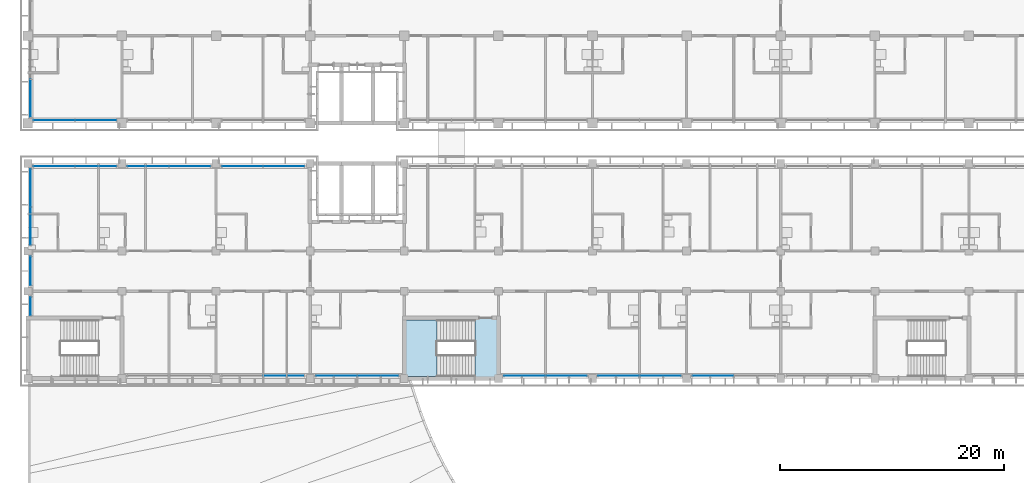
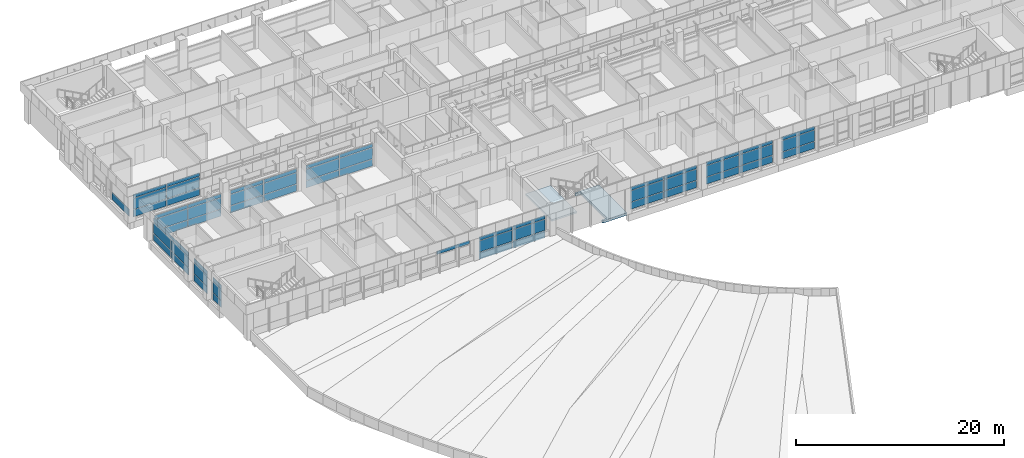
# One storey, part 21 of 74: 59 plates, 2 slabs, 14 elements without a shape of their own.
"""IFC4 building model written with IfcOpenShell, lengths in metres."""

from ifc_helpers import new_model, si_unit, direction, frame, origin, origin_2d, place, context, subcontext, project, spatial, polyline, rectangle, outline, extrude, material, layer, layer_set, type_object, element, aggregate, save


model = new_model("IFC4")

# Units and contexts
model_context = context("Model", 3, precision=1e-05, world=origin(), true_north=direction((0.0, 1.0)))
body_context = subcontext(model_context, "Body", "Model", "MODEL_VIEW")
ifc_project = project(units=[si_unit("LENGTHUNIT", "METRE"), si_unit("AREAUNIT", "SQUARE_METRE"), si_unit("VOLUMEUNIT", "CUBIC_METRE"), si_unit("PLANEANGLEUNIT", "RADIAN"), si_unit("MASSUNIT", "GRAM", prefix="KILO")], contexts=[model_context])

# Site, building, storey
site_placement = place(None, origin())
site = spatial("IfcSite", under=ifc_project, at=site_placement, CompositionType="ELEMENT")
building_placement = place(site_placement, origin())
building = spatial("IfcBuilding", under=site, at=building_placement, Name="Bougainvillea Quay General Hospital", CompositionType="ELEMENT")
storey_placement = place(building_placement, frame((0.0, 0.0, 21.0)))
storey = spatial("IfcBuildingStorey", under=building, at=storey_placement, Name="L04", CompositionType="ELEMENT", Elevation=21.0)

# Curtain wall, plate
ifc_material_1 = material(Name="Aluminium curtain wall system, powder-coated glazed", Category="aluminium")
curtain_wall_type_1 = type_object("IfcCurtainWallType", Name="Unitised curtain wall CW-3430", PredefinedType="NOTDEFINED", material=ifc_material_1)
curtain_wall_1_placement = place(storey_placement, origin())
curtain_wall_1 = element("IfcCurtainWall", 1, at=curtain_wall_1_placement, inside=storey, type_object=curtain_wall_type_1, Name="CW-4200 02", PredefinedType="NOTDEFINED")
ifc_material_2 = material(Name="Insulated aluminium spandrel panel, white", Category="aluminium")
ifc_layer_1 = layer(ifc_material_2, 0.028076171875)
ifc_layer_set_1 = layer_set([ifc_layer_1], Name="Insulated aluminium spandrel panel, white")
plate_type_1 = type_object("IfcPlateType", Name="Insulated spandrel panel white 28", PredefinedType="CURTAIN_PANEL", material=ifc_layer_set_1)
plate_1_placement = place(storey_placement, frame((42.25, 142.60009765625, 0.06005859375), z_axis=(0.0, 0.0, 1.0), x_axis=(0.0, -1.0, 0.0)))
plate_1 = element("IfcPlate", 2, at=plate_1_placement, type_object=plate_type_1, Name="CW-4200 spandrel panel 2.1", PredefinedType="CURTAIN_PANEL", context=body_context, shape_type="SweptSolid", body=[
    extrude(rectangle(XDim=3.340087890625, YDim=0.028076171875, at=origin_2d()), origin(), (0.0, 0.0, 1.0), 0.81005859375),
])
aggregate(curtain_wall_1, [plate_1])

# Curtain wall, plates
curtain_wall_type_2 = type_object("IfcCurtainWallType", Name="Unitised curtain wall CW-3730", PredefinedType="NOTDEFINED", material=ifc_material_1)
curtain_wall_2_placement = place(storey_placement, origin())
curtain_wall_2 = element("IfcCurtainWall", 3, at=curtain_wall_2_placement, inside=storey, type_object=curtain_wall_type_2, Name="CW-4200 00", PredefinedType="NOTDEFINED")
plate_2_placement = place(storey_placement, frame((44.35009765625, 140.64990234375, 0.06005859375), z_axis=(0.0, 0.0, 1.0), x_axis=(1.0, 0.0, 0.0)))
plate_2 = element("IfcPlate", 4, at=plate_2_placement, type_object=plate_type_1, Name="CW-4200 spandrel panel 1.1", PredefinedType="CURTAIN_PANEL", context=body_context, shape_type="SweptSolid", body=[
    extrude(rectangle(XDim=3.639892578125, YDim=0.028076171875, at=origin_2d()), origin(), (0.0, 0.0, 1.0), 0.81005859375),
])
plate_3_placement = place(storey_placement, frame((44.35009765625, 140.64990234375, 2.2802734375), z_axis=(0.0, 0.0, 1.0), x_axis=(1.0, 0.0, 0.0)))
plate_3 = element("IfcPlate", 5, at=plate_3_placement, type_object=plate_type_1, Name="CW-4200 spandrel panel 1.3", PredefinedType="CURTAIN_PANEL", context=body_context, shape_type="SweptSolid", body=[
    extrude(rectangle(XDim=3.639892578125, YDim=0.028076171875, at=origin_2d()), origin(), (0.0, 0.0, 1.0), 0.409912109375),
])
plate_4_placement = place(storey_placement, frame((48.050048828125, 140.64990234375, 0.06005859375), z_axis=(0.0, 0.0, 1.0), x_axis=(1.0, 0.0, 0.0)))
plate_4 = element("IfcPlate", 6, at=plate_4_placement, type_object=plate_type_1, Name="CW-4200 spandrel panel 2.1", PredefinedType="CURTAIN_PANEL", context=body_context, shape_type="SweptSolid", body=[
    extrude(rectangle(XDim=3.639892578125, YDim=0.028076171875, at=origin_2d()), origin(), (0.0, 0.0, 1.0), 0.81005859375),
])
plate_5_placement = place(storey_placement, frame((48.050048828125, 140.64990234375, 2.2802734375), z_axis=(0.0, 0.0, 1.0), x_axis=(1.0, 0.0, 0.0)))
plate_5 = element("IfcPlate", 7, at=plate_5_placement, type_object=plate_type_1, Name="CW-4200 spandrel panel 2.3", PredefinedType="CURTAIN_PANEL", context=body_context, shape_type="SweptSolid", body=[
    extrude(rectangle(XDim=3.639892578125, YDim=0.028076171875, at=origin_2d()), origin(), (0.0, 0.0, 1.0), 0.409912109375),
])

curtain_wall_3_placement = place(storey_placement, origin())
curtain_wall_3 = element("IfcCurtainWall", 8, at=curtain_wall_3_placement, inside=storey, type_object=curtain_wall_type_1, Name="CW-4200 00", PredefinedType="NOTDEFINED")
plate_6_placement = place(storey_placement, frame((42.25, 134.60009765625, 0.06005859375), z_axis=(0.0, 0.0, 1.0), x_axis=(0.0, -1.0, 0.0)))
plate_6 = element("IfcPlate", 9, at=plate_6_placement, type_object=plate_type_1, Name="CW-4200 spandrel panel 1.1", PredefinedType="CURTAIN_PANEL", context=body_context, shape_type="SweptSolid", body=[
    extrude(rectangle(XDim=3.340087890625, YDim=0.028076171875, at=origin_2d()), origin(), (0.0, 0.0, 1.0), 0.81005859375),
])
plate_7_placement = place(storey_placement, frame((42.25, 134.60009765625, 2.2802734375), z_axis=(0.0, 0.0, 1.0), x_axis=(0.0, -1.0, 0.0)))
plate_7 = element("IfcPlate", 10, at=plate_7_placement, type_object=plate_type_1, Name="CW-4200 spandrel panel 1.3", PredefinedType="CURTAIN_PANEL", context=body_context, shape_type="SweptSolid", body=[
    extrude(rectangle(XDim=3.340087890625, YDim=0.028076171875, at=origin_2d()), origin(), (0.0, 0.0, 1.0), 0.409912109375),
])
plate_8_placement = place(storey_placement, frame((42.25, 131.199951171875, 0.06005859375), z_axis=(0.0, 0.0, 1.0), x_axis=(0.0, -1.0, 0.0)))
plate_8 = element("IfcPlate", 11, at=plate_8_placement, type_object=plate_type_1, Name="CW-4200 spandrel panel 2.1", PredefinedType="CURTAIN_PANEL", context=body_context, shape_type="SweptSolid", body=[
    extrude(rectangle(XDim=3.340087890625, YDim=0.028076171875, at=origin_2d()), origin(), (0.0, 0.0, 1.0), 0.81005859375),
])
plate_9_placement = place(storey_placement, frame((42.25, 131.199951171875, 2.2802734375), z_axis=(0.0, 0.0, 1.0), x_axis=(0.0, -1.0, 0.0)))
plate_9 = element("IfcPlate", 12, at=plate_9_placement, type_object=plate_type_1, Name="CW-4200 spandrel panel 2.3", PredefinedType="CURTAIN_PANEL", context=body_context, shape_type="SweptSolid", body=[
    extrude(rectangle(XDim=3.340087890625, YDim=0.028076171875, at=origin_2d()), origin(), (0.0, 0.0, 1.0), 0.409912109375),
])

curtain_wall_type_3 = type_object("IfcCurtainWallType", Name="Unitised curtain wall CW-2660", PredefinedType="NOTDEFINED", material=ifc_material_1)
curtain_wall_4_placement = place(storey_placement, origin())
curtain_wall_4 = element("IfcCurtainWall", 13, at=curtain_wall_4_placement, inside=storey, type_object=curtain_wall_type_3, Name="CW-4200 01", PredefinedType="NOTDEFINED")
plate_10_placement = place(storey_placement, frame((42.25, 127.199951171875, 0.06005859375), z_axis=(0.0, 0.0, 1.0), x_axis=(0.0, -1.0, 0.0)))
plate_10 = element("IfcPlate", 14, at=plate_10_placement, type_object=plate_type_1, Name="CW-4200 spandrel panel 1.1", PredefinedType="CURTAIN_PANEL", context=body_context, shape_type="SweptSolid", body=[
    extrude(rectangle(XDim=2.5400390625, YDim=0.028076171875, at=origin_2d()), origin(), (0.0, 0.0, 1.0), 0.81005859375),
])
plate_11_placement = place(storey_placement, frame((42.25, 127.199951171875, 2.2802734375), z_axis=(0.0, 0.0, 1.0), x_axis=(0.0, -1.0, 0.0)))
plate_11 = element("IfcPlate", 15, at=plate_11_placement, type_object=plate_type_1, Name="CW-4200 spandrel panel 1.3", PredefinedType="CURTAIN_PANEL", context=body_context, shape_type="SweptSolid", body=[
    extrude(rectangle(XDim=2.5400390625, YDim=0.028076171875, at=origin_2d()), origin(), (0.0, 0.0, 1.0), 0.409912109375),
])

curtain_wall_type_4 = type_object("IfcCurtainWallType", Name="Unitised curtain wall CW-1755", PredefinedType="NOTDEFINED", material=ifc_material_1)
curtain_wall_5_placement = place(storey_placement, origin())
curtain_wall_5 = element("IfcCurtainWall", 16, at=curtain_wall_5_placement, inside=storey, type_object=curtain_wall_type_4, Name="CW-4200 02", PredefinedType="NOTDEFINED")
plate_12_placement = place(storey_placement, frame((42.25, 124.052490234375, 0.06005859375), z_axis=(0.0, 0.0, 1.0), x_axis=(0.0, -1.0, 0.0)))
plate_12 = element("IfcPlate", 17, at=plate_12_placement, type_object=plate_type_1, Name="CW-4200 spandrel panel 1.1", PredefinedType="CURTAIN_PANEL", context=body_context, shape_type="SweptSolid", body=[
    extrude(rectangle(XDim=1.635009765625, YDim=0.028076171875, at=origin_2d()), origin(), (0.0, 0.0, 1.0), 0.81005859375),
])
plate_13_placement = place(storey_placement, frame((42.25, 124.052490234375, 2.2802734375), z_axis=(0.0, 0.0, 1.0), x_axis=(0.0, -1.0, 0.0)))
plate_13 = element("IfcPlate", 18, at=plate_13_placement, type_object=plate_type_1, Name="CW-4200 spandrel panel 1.3", PredefinedType="CURTAIN_PANEL", context=body_context, shape_type="SweptSolid", body=[
    extrude(rectangle(XDim=1.635009765625, YDim=0.028076171875, at=origin_2d()), origin(), (0.0, 0.0, 1.0), 0.409912109375),
])

# Curtain wall, plate
curtain_wall_6_placement = place(storey_placement, origin())
curtain_wall_6 = element("IfcCurtainWall", 19, at=curtain_wall_6_placement, inside=storey, type_object=curtain_wall_type_2, Name="CW-4200 01", PredefinedType="NOTDEFINED")
plate_14_placement = place(storey_placement, frame((64.85009765625, 117.85009765625, 2.2802734375), z_axis=(0.0, 0.0, 1.0), x_axis=(1.0, 0.0, 0.0)))
plate_14 = element("IfcPlate", 20, at=plate_14_placement, type_object=plate_type_1, Name="CW-4200 spandrel panel 2.3", PredefinedType="CURTAIN_PANEL", context=body_context, shape_type="SweptSolid", body=[
    extrude(rectangle(XDim=3.639892578125, YDim=0.028076171875, at=origin_2d()), origin(), (0.0, 0.0, 1.0), 0.409912109375),
])
aggregate(curtain_wall_6, [plate_14])

# Curtain wall, plates
curtain_wall_7_placement = place(storey_placement, origin())
curtain_wall_7 = element("IfcCurtainWall", 21, at=curtain_wall_7_placement, inside=storey, type_object=curtain_wall_type_2, Name="CW-4200 02", PredefinedType="NOTDEFINED")
plate_15_placement = place(storey_placement, frame((69.550048828125, 117.85009765625, 0.06005859375), z_axis=(0.0, 0.0, 1.0), x_axis=(1.0, 0.0, 0.0)))
plate_15 = element("IfcPlate", 22, at=plate_15_placement, type_object=plate_type_1, Name="CW-4200 spandrel panel 1.1", PredefinedType="CURTAIN_PANEL", context=body_context, shape_type="SweptSolid", body=[
    extrude(rectangle(XDim=3.639892578125, YDim=0.028076171875, at=origin_2d()), origin(), (0.0, 0.0, 1.0), 0.81005859375),
])
plate_16_placement = place(storey_placement, frame((69.550048828125, 117.85009765625, 2.2802734375), z_axis=(0.0, 0.0, 1.0), x_axis=(1.0, 0.0, 0.0)))
plate_16 = element("IfcPlate", 23, at=plate_16_placement, type_object=plate_type_1, Name="CW-4200 spandrel panel 1.3", PredefinedType="CURTAIN_PANEL", context=body_context, shape_type="SweptSolid", body=[
    extrude(rectangle(XDim=3.639892578125, YDim=0.028076171875, at=origin_2d()), origin(), (0.0, 0.0, 1.0), 0.409912109375),
])
plate_17_placement = place(storey_placement, frame((73.25, 117.85009765625, 0.06005859375), z_axis=(0.0, 0.0, 1.0), x_axis=(1.0, 0.0, 0.0)))
plate_17 = element("IfcPlate", 24, at=plate_17_placement, type_object=plate_type_1, Name="CW-4200 spandrel panel 2.1", PredefinedType="CURTAIN_PANEL", context=body_context, shape_type="SweptSolid", body=[
    extrude(rectangle(XDim=3.639892578125, YDim=0.028076171875, at=origin_2d()), origin(), (0.0, 0.0, 1.0), 0.81005859375),
])
plate_18_placement = place(storey_placement, frame((73.25, 117.85009765625, 2.2802734375), z_axis=(0.0, 0.0, 1.0), x_axis=(1.0, 0.0, 0.0)))
plate_18 = element("IfcPlate", 25, at=plate_18_placement, type_object=plate_type_1, Name="CW-4200 spandrel panel 2.3", PredefinedType="CURTAIN_PANEL", context=body_context, shape_type="SweptSolid", body=[
    extrude(rectangle(XDim=3.639892578125, YDim=0.028076171875, at=origin_2d()), origin(), (0.0, 0.0, 1.0), 0.409912109375),
])

curtain_wall_8_placement = place(storey_placement, origin())
curtain_wall_8 = element("IfcCurtainWall", 26, at=curtain_wall_8_placement, inside=storey, type_object=curtain_wall_type_2, Name="CW-4200 03", PredefinedType="NOTDEFINED")
plate_19_placement = place(storey_placement, frame((86.35009765625, 117.85009765625, 0.06005859375), z_axis=(0.0, 0.0, 1.0), x_axis=(1.0, 0.0, 0.0)))
plate_19 = element("IfcPlate", 27, at=plate_19_placement, type_object=plate_type_1, Name="CW-4200 spandrel panel 1.1", PredefinedType="CURTAIN_PANEL", context=body_context, shape_type="SweptSolid", body=[
    extrude(rectangle(XDim=3.639892578125, YDim=0.028076171875, at=origin_2d()), origin(), (0.0, 0.0, 1.0), 0.81005859375),
])
plate_20_placement = place(storey_placement, frame((86.35009765625, 117.85009765625, 2.2802734375), z_axis=(0.0, 0.0, 1.0), x_axis=(1.0, 0.0, 0.0)))
plate_20 = element("IfcPlate", 28, at=plate_20_placement, type_object=plate_type_1, Name="CW-4200 spandrel panel 1.3", PredefinedType="CURTAIN_PANEL", context=body_context, shape_type="SweptSolid", body=[
    extrude(rectangle(XDim=3.639892578125, YDim=0.028076171875, at=origin_2d()), origin(), (0.0, 0.0, 1.0), 0.409912109375),
])
plate_21_placement = place(storey_placement, frame((90.050048828125, 117.85009765625, 0.06005859375), z_axis=(0.0, 0.0, 1.0), x_axis=(1.0, 0.0, 0.0)))
plate_21 = element("IfcPlate", 29, at=plate_21_placement, type_object=plate_type_1, Name="CW-4200 spandrel panel 2.1", PredefinedType="CURTAIN_PANEL", context=body_context, shape_type="SweptSolid", body=[
    extrude(rectangle(XDim=3.639892578125, YDim=0.028076171875, at=origin_2d()), origin(), (0.0, 0.0, 1.0), 0.81005859375),
])
plate_22_placement = place(storey_placement, frame((90.050048828125, 117.85009765625, 2.2802734375), z_axis=(0.0, 0.0, 1.0), x_axis=(1.0, 0.0, 0.0)))
plate_22 = element("IfcPlate", 30, at=plate_22_placement, type_object=plate_type_1, Name="CW-4200 spandrel panel 2.3", PredefinedType="CURTAIN_PANEL", context=body_context, shape_type="SweptSolid", body=[
    extrude(rectangle(XDim=3.639892578125, YDim=0.028076171875, at=origin_2d()), origin(), (0.0, 0.0, 1.0), 0.409912109375),
])

curtain_wall_9_placement = place(storey_placement, origin())
curtain_wall_9 = element("IfcCurtainWall", 31, at=curtain_wall_9_placement, inside=storey, type_object=curtain_wall_type_2, Name="CW-4200 04", PredefinedType="NOTDEFINED")
plate_23_placement = place(storey_placement, frame((94.75, 117.85009765625, 0.06005859375), z_axis=(0.0, 0.0, 1.0), x_axis=(1.0, 0.0, 0.0)))
plate_23 = element("IfcPlate", 32, at=plate_23_placement, type_object=plate_type_1, Name="CW-4200 spandrel panel 1.1", PredefinedType="CURTAIN_PANEL", context=body_context, shape_type="SweptSolid", body=[
    extrude(rectangle(XDim=3.639892578125, YDim=0.028076171875, at=origin_2d()), origin(), (0.0, 0.0, 1.0), 0.81005859375),
])
plate_24_placement = place(storey_placement, frame((94.75, 117.85009765625, 2.2802734375), z_axis=(0.0, 0.0, 1.0), x_axis=(1.0, 0.0, 0.0)))
plate_24 = element("IfcPlate", 33, at=plate_24_placement, type_object=plate_type_1, Name="CW-4200 spandrel panel 1.3", PredefinedType="CURTAIN_PANEL", context=body_context, shape_type="SweptSolid", body=[
    extrude(rectangle(XDim=3.639892578125, YDim=0.028076171875, at=origin_2d()), origin(), (0.0, 0.0, 1.0), 0.409912109375),
])
plate_25_placement = place(storey_placement, frame((98.449951171875, 117.85009765625, 0.06005859375), z_axis=(0.0, 0.0, 1.0), x_axis=(1.0, 0.0, 0.0)))
plate_25 = element("IfcPlate", 34, at=plate_25_placement, type_object=plate_type_1, Name="CW-4200 spandrel panel 2.1", PredefinedType="CURTAIN_PANEL", context=body_context, shape_type="SweptSolid", body=[
    extrude(rectangle(XDim=3.639892578125, YDim=0.028076171875, at=origin_2d()), origin(), (0.0, 0.0, 1.0), 0.81005859375),
])
plate_26_placement = place(storey_placement, frame((98.449951171875, 117.85009765625, 2.2802734375), z_axis=(0.0, 0.0, 1.0), x_axis=(1.0, 0.0, 0.0)))
plate_26 = element("IfcPlate", 35, at=plate_26_placement, type_object=plate_type_1, Name="CW-4200 spandrel panel 2.3", PredefinedType="CURTAIN_PANEL", context=body_context, shape_type="SweptSolid", body=[
    extrude(rectangle(XDim=3.639892578125, YDim=0.028076171875, at=origin_2d()), origin(), (0.0, 0.0, 1.0), 0.409912109375),
])

curtain_wall_10_placement = place(storey_placement, origin())
curtain_wall_10 = element("IfcCurtainWall", 36, at=curtain_wall_10_placement, inside=storey, type_object=curtain_wall_type_2, Name="CW-4200 05", PredefinedType="NOTDEFINED")
plate_27_placement = place(storey_placement, frame((103.14990234375, 117.85009765625, 0.06005859375), z_axis=(0.0, 0.0, 1.0), x_axis=(1.0, 0.0, 0.0)))
plate_27 = element("IfcPlate", 37, at=plate_27_placement, type_object=plate_type_1, Name="CW-4200 spandrel panel 1.1", PredefinedType="CURTAIN_PANEL", context=body_context, shape_type="SweptSolid", body=[
    extrude(rectangle(XDim=3.639892578125, YDim=0.028076171875, at=origin_2d()), origin(), (0.0, 0.0, 1.0), 0.81005859375),
])
plate_28_placement = place(storey_placement, frame((103.14990234375, 117.85009765625, 2.2802734375), z_axis=(0.0, 0.0, 1.0), x_axis=(1.0, 0.0, 0.0)))
plate_28 = element("IfcPlate", 38, at=plate_28_placement, type_object=plate_type_1, Name="CW-4200 spandrel panel 1.3", PredefinedType="CURTAIN_PANEL", context=body_context, shape_type="SweptSolid", body=[
    extrude(rectangle(XDim=3.639892578125, YDim=0.028076171875, at=origin_2d()), origin(), (0.0, 0.0, 1.0), 0.409912109375),
])

curtain_wall_11_placement = place(storey_placement, origin())
curtain_wall_11 = element("IfcCurtainWall", 39, at=curtain_wall_11_placement, inside=storey, type_object=curtain_wall_type_2, Name="CW-4200 00", PredefinedType="NOTDEFINED")
plate_29_placement = place(storey_placement, frame((64.85009765625, 136.550048828125, 0.06005859375), z_axis=(0.0, 0.0, 1.0), x_axis=(-1.0, 0.0, 0.0)))
plate_29 = element("IfcPlate", 40, at=plate_29_placement, type_object=plate_type_1, Name="CW-4200 spandrel panel 1.1", PredefinedType="CURTAIN_PANEL", context=body_context, shape_type="SweptSolid", body=[
    extrude(rectangle(XDim=3.639892578125, YDim=0.028076171875, at=origin_2d()), origin(), (0.0, 0.0, 1.0), 0.81005859375),
])
plate_30_placement = place(storey_placement, frame((64.85009765625, 136.550048828125, 2.2802734375), z_axis=(0.0, 0.0, 1.0), x_axis=(-1.0, 0.0, 0.0)))
plate_30 = element("IfcPlate", 41, at=plate_30_placement, type_object=plate_type_1, Name="CW-4200 spandrel panel 1.3", PredefinedType="CURTAIN_PANEL", context=body_context, shape_type="SweptSolid", body=[
    extrude(rectangle(XDim=3.639892578125, YDim=0.028076171875, at=origin_2d()), origin(), (0.0, 0.0, 1.0), 0.409912109375),
])
plate_31_placement = place(storey_placement, frame((61.14990234375, 136.550048828125, 0.06005859375), z_axis=(0.0, 0.0, 1.0), x_axis=(-1.0, 0.0, 0.0)))
plate_31 = element("IfcPlate", 42, at=plate_31_placement, type_object=plate_type_1, Name="CW-4200 spandrel panel 2.1", PredefinedType="CURTAIN_PANEL", context=body_context, shape_type="SweptSolid", body=[
    extrude(rectangle(XDim=3.639892578125, YDim=0.028076171875, at=origin_2d()), origin(), (0.0, 0.0, 1.0), 0.81005859375),
])
plate_32_placement = place(storey_placement, frame((61.14990234375, 136.550048828125, 2.2802734375), z_axis=(0.0, 0.0, 1.0), x_axis=(-1.0, 0.0, 0.0)))
plate_32 = element("IfcPlate", 43, at=plate_32_placement, type_object=plate_type_1, Name="CW-4200 spandrel panel 2.3", PredefinedType="CURTAIN_PANEL", context=body_context, shape_type="SweptSolid", body=[
    extrude(rectangle(XDim=3.639892578125, YDim=0.028076171875, at=origin_2d()), origin(), (0.0, 0.0, 1.0), 0.409912109375),
])

curtain_wall_12_placement = place(storey_placement, origin())
curtain_wall_12 = element("IfcCurtainWall", 44, at=curtain_wall_12_placement, inside=storey, type_object=curtain_wall_type_2, Name="CW-4200 01", PredefinedType="NOTDEFINED")
plate_33_placement = place(storey_placement, frame((56.449951171875, 136.550048828125, 0.06005859375), z_axis=(0.0, 0.0, 1.0), x_axis=(-1.0, 0.0, 0.0)))
plate_33 = element("IfcPlate", 45, at=plate_33_placement, type_object=plate_type_1, Name="CW-4200 spandrel panel 1.1", PredefinedType="CURTAIN_PANEL", context=body_context, shape_type="SweptSolid", body=[
    extrude(rectangle(XDim=3.639892578125, YDim=0.028076171875, at=origin_2d()), origin(), (0.0, 0.0, 1.0), 0.81005859375),
])
plate_34_placement = place(storey_placement, frame((56.449951171875, 136.550048828125, 2.2802734375), z_axis=(0.0, 0.0, 1.0), x_axis=(-1.0, 0.0, 0.0)))
plate_34 = element("IfcPlate", 46, at=plate_34_placement, type_object=plate_type_1, Name="CW-4200 spandrel panel 1.3", PredefinedType="CURTAIN_PANEL", context=body_context, shape_type="SweptSolid", body=[
    extrude(rectangle(XDim=3.639892578125, YDim=0.028076171875, at=origin_2d()), origin(), (0.0, 0.0, 1.0), 0.409912109375),
])
plate_35_placement = place(storey_placement, frame((52.75, 136.550048828125, 0.06005859375), z_axis=(0.0, 0.0, 1.0), x_axis=(-1.0, 0.0, 0.0)))
plate_35 = element("IfcPlate", 47, at=plate_35_placement, type_object=plate_type_1, Name="CW-4200 spandrel panel 2.1", PredefinedType="CURTAIN_PANEL", context=body_context, shape_type="SweptSolid", body=[
    extrude(rectangle(XDim=3.639892578125, YDim=0.028076171875, at=origin_2d()), origin(), (0.0, 0.0, 1.0), 0.81005859375),
])
plate_36_placement = place(storey_placement, frame((52.75, 136.550048828125, 2.2802734375), z_axis=(0.0, 0.0, 1.0), x_axis=(-1.0, 0.0, 0.0)))
plate_36 = element("IfcPlate", 48, at=plate_36_placement, type_object=plate_type_1, Name="CW-4200 spandrel panel 2.3", PredefinedType="CURTAIN_PANEL", context=body_context, shape_type="SweptSolid", body=[
    extrude(rectangle(XDim=3.639892578125, YDim=0.028076171875, at=origin_2d()), origin(), (0.0, 0.0, 1.0), 0.409912109375),
])

curtain_wall_13_placement = place(storey_placement, origin())
curtain_wall_13 = element("IfcCurtainWall", 49, at=curtain_wall_13_placement, inside=storey, type_object=curtain_wall_type_2, Name="CW-4200 02", PredefinedType="NOTDEFINED")
plate_37_placement = place(storey_placement, frame((48.050048828125, 136.550048828125, 0.06005859375), z_axis=(0.0, 0.0, 1.0), x_axis=(-1.0, 0.0, 0.0)))
plate_37 = element("IfcPlate", 50, at=plate_37_placement, type_object=plate_type_1, Name="CW-4200 spandrel panel 1.1", PredefinedType="CURTAIN_PANEL", context=body_context, shape_type="SweptSolid", body=[
    extrude(rectangle(XDim=3.639892578125, YDim=0.028076171875, at=origin_2d()), origin(), (0.0, 0.0, 1.0), 0.81005859375),
])
plate_38_placement = place(storey_placement, frame((48.050048828125, 136.550048828125, 2.2802734375), z_axis=(0.0, 0.0, 1.0), x_axis=(-1.0, 0.0, 0.0)))
plate_38 = element("IfcPlate", 51, at=plate_38_placement, type_object=plate_type_1, Name="CW-4200 spandrel panel 1.3", PredefinedType="CURTAIN_PANEL", context=body_context, shape_type="SweptSolid", body=[
    extrude(rectangle(XDim=3.639892578125, YDim=0.028076171875, at=origin_2d()), origin(), (0.0, 0.0, 1.0), 0.409912109375),
])
plate_39_placement = place(storey_placement, frame((44.35009765625, 136.550048828125, 0.06005859375), z_axis=(0.0, 0.0, 1.0), x_axis=(-1.0, 0.0, 0.0)))
plate_39 = element("IfcPlate", 52, at=plate_39_placement, type_object=plate_type_1, Name="CW-4200 spandrel panel 2.1", PredefinedType="CURTAIN_PANEL", context=body_context, shape_type="SweptSolid", body=[
    extrude(rectangle(XDim=3.639892578125, YDim=0.028076171875, at=origin_2d()), origin(), (0.0, 0.0, 1.0), 0.81005859375),
])
plate_40_placement = place(storey_placement, frame((44.35009765625, 136.550048828125, 2.2802734375), z_axis=(0.0, 0.0, 1.0), x_axis=(-1.0, 0.0, 0.0)))
plate_40 = element("IfcPlate", 53, at=plate_40_placement, type_object=plate_type_1, Name="CW-4200 spandrel panel 2.3", PredefinedType="CURTAIN_PANEL", context=body_context, shape_type="SweptSolid", body=[
    extrude(rectangle(XDim=3.639892578125, YDim=0.028076171875, at=origin_2d()), origin(), (0.0, 0.0, 1.0), 0.409912109375),
])

# Plate
ifc_material_3 = material(Name="Low-e laminated glass, solar control", Category="glass")
ifc_layer_2 = layer(ifc_material_3, 0.028076171875)
ifc_layer_set_2 = layer_set([ifc_layer_2], Name="Low-e laminated glass, solar control")
plate_type_2 = type_object("IfcPlateType", Name="Low-e laminated vision glass 28", PredefinedType="CURTAIN_PANEL", material=ifc_layer_set_2)
plate_41_placement = place(storey_placement, frame((44.35009765625, 140.64990234375, 0.929931640625), z_axis=(0.0, 0.0, 1.0), x_axis=(1.0, 0.0, 0.0)))
plate_41 = element("IfcPlate", 54, at=plate_41_placement, type_object=plate_type_2, Name="CW-4200 vision glass panel 1.2", PredefinedType="CURTAIN_PANEL", context=body_context, shape_type="SweptSolid", body=[
    extrude(rectangle(XDim=3.639892578125, YDim=0.028076171875, at=origin_2d()), origin(), (0.0, 0.0, 1.0), 1.2900390625),
])

plate_42_placement = place(storey_placement, frame((48.050048828125, 140.64990234375, 0.929931640625), z_axis=(0.0, 0.0, 1.0), x_axis=(1.0, 0.0, 0.0)))
plate_42 = element("IfcPlate", 55, at=plate_42_placement, type_object=plate_type_2, Name="CW-4200 vision glass panel 2.2", PredefinedType="CURTAIN_PANEL", context=body_context, shape_type="SweptSolid", body=[
    extrude(rectangle(XDim=3.639892578125, YDim=0.028076171875, at=origin_2d()), origin(), (0.0, 0.0, 1.0), 1.2900390625),
])

aggregate(curtain_wall_2, [plate_2, plate_41, plate_3, plate_4, plate_42, plate_5])

plate_43_placement = place(storey_placement, frame((42.25, 134.60009765625, 0.929931640625), z_axis=(0.0, 0.0, 1.0), x_axis=(0.0, -1.0, 0.0)))
plate_43 = element("IfcPlate", 56, at=plate_43_placement, type_object=plate_type_2, Name="CW-4200 vision glass panel 1.2", PredefinedType="CURTAIN_PANEL", context=body_context, shape_type="SweptSolid", body=[
    extrude(rectangle(XDim=3.340087890625, YDim=0.028076171875, at=origin_2d()), origin(), (0.0, 0.0, 1.0), 1.2900390625),
])

plate_44_placement = place(storey_placement, frame((42.25, 131.199951171875, 0.929931640625), z_axis=(0.0, 0.0, 1.0), x_axis=(0.0, -1.0, 0.0)))
plate_44 = element("IfcPlate", 57, at=plate_44_placement, type_object=plate_type_2, Name="CW-4200 vision glass panel 2.2", PredefinedType="CURTAIN_PANEL", context=body_context, shape_type="SweptSolid", body=[
    extrude(rectangle(XDim=3.340087890625, YDim=0.028076171875, at=origin_2d()), origin(), (0.0, 0.0, 1.0), 1.2900390625),
])

aggregate(curtain_wall_3, [plate_6, plate_43, plate_7, plate_8, plate_44, plate_9])

plate_45_placement = place(storey_placement, frame((42.25, 127.199951171875, 0.929931640625), z_axis=(0.0, 0.0, 1.0), x_axis=(0.0, -1.0, 0.0)))
plate_45 = element("IfcPlate", 58, at=plate_45_placement, type_object=plate_type_2, Name="CW-4200 vision glass panel 1.2", PredefinedType="CURTAIN_PANEL", context=body_context, shape_type="SweptSolid", body=[
    extrude(rectangle(XDim=2.5400390625, YDim=0.028076171875, at=origin_2d()), origin(), (0.0, 0.0, 1.0), 1.2900390625),
])

aggregate(curtain_wall_4, [plate_10, plate_45, plate_11])

plate_46_placement = place(storey_placement, frame((42.25, 124.052490234375, 0.929931640625), z_axis=(0.0, 0.0, 1.0), x_axis=(0.0, -1.0, 0.0)))
plate_46 = element("IfcPlate", 59, at=plate_46_placement, type_object=plate_type_2, Name="CW-4200 vision glass panel 1.2", PredefinedType="CURTAIN_PANEL", context=body_context, shape_type="SweptSolid", body=[
    extrude(rectangle(XDim=1.635009765625, YDim=0.028076171875, at=origin_2d()), origin(), (0.0, 0.0, 1.0), 1.2900390625),
])

aggregate(curtain_wall_5, [plate_12, plate_46, plate_13])

plate_47_placement = place(storey_placement, frame((69.550048828125, 117.85009765625, 0.929931640625), z_axis=(0.0, 0.0, 1.0), x_axis=(1.0, 0.0, 0.0)))
plate_47 = element("IfcPlate", 60, at=plate_47_placement, type_object=plate_type_2, Name="CW-4200 vision glass panel 1.2", PredefinedType="CURTAIN_PANEL", context=body_context, shape_type="SweptSolid", body=[
    extrude(rectangle(XDim=3.639892578125, YDim=0.028076171875, at=origin_2d()), origin(), (0.0, 0.0, 1.0), 1.2900390625),
])

plate_48_placement = place(storey_placement, frame((73.25, 117.85009765625, 0.929931640625), z_axis=(0.0, 0.0, 1.0), x_axis=(1.0, 0.0, 0.0)))
plate_48 = element("IfcPlate", 61, at=plate_48_placement, type_object=plate_type_2, Name="CW-4200 vision glass panel 2.2", PredefinedType="CURTAIN_PANEL", context=body_context, shape_type="SweptSolid", body=[
    extrude(rectangle(XDim=3.639892578125, YDim=0.028076171875, at=origin_2d()), origin(), (0.0, 0.0, 1.0), 1.2900390625),
])

aggregate(curtain_wall_7, [plate_15, plate_47, plate_16, plate_17, plate_48, plate_18])

plate_49_placement = place(storey_placement, frame((86.35009765625, 117.85009765625, 0.929931640625), z_axis=(0.0, 0.0, 1.0), x_axis=(1.0, 0.0, 0.0)))
plate_49 = element("IfcPlate", 62, at=plate_49_placement, type_object=plate_type_2, Name="CW-4200 vision glass panel 1.2", PredefinedType="CURTAIN_PANEL", context=body_context, shape_type="SweptSolid", body=[
    extrude(rectangle(XDim=3.639892578125, YDim=0.028076171875, at=origin_2d()), origin(), (0.0, 0.0, 1.0), 1.2900390625),
])

plate_50_placement = place(storey_placement, frame((90.050048828125, 117.85009765625, 0.929931640625), z_axis=(0.0, 0.0, 1.0), x_axis=(1.0, 0.0, 0.0)))
plate_50 = element("IfcPlate", 63, at=plate_50_placement, type_object=plate_type_2, Name="CW-4200 vision glass panel 2.2", PredefinedType="CURTAIN_PANEL", context=body_context, shape_type="SweptSolid", body=[
    extrude(rectangle(XDim=3.639892578125, YDim=0.028076171875, at=origin_2d()), origin(), (0.0, 0.0, 1.0), 1.2900390625),
])

aggregate(curtain_wall_8, [plate_19, plate_49, plate_20, plate_21, plate_50, plate_22])

plate_51_placement = place(storey_placement, frame((94.75, 117.85009765625, 0.929931640625), z_axis=(0.0, 0.0, 1.0), x_axis=(1.0, 0.0, 0.0)))
plate_51 = element("IfcPlate", 64, at=plate_51_placement, type_object=plate_type_2, Name="CW-4200 vision glass panel 1.2", PredefinedType="CURTAIN_PANEL", context=body_context, shape_type="SweptSolid", body=[
    extrude(rectangle(XDim=3.639892578125, YDim=0.028076171875, at=origin_2d()), origin(), (0.0, 0.0, 1.0), 1.2900390625),
])

plate_52_placement = place(storey_placement, frame((98.449951171875, 117.85009765625, 0.929931640625), z_axis=(0.0, 0.0, 1.0), x_axis=(1.0, 0.0, 0.0)))
plate_52 = element("IfcPlate", 65, at=plate_52_placement, type_object=plate_type_2, Name="CW-4200 vision glass panel 2.2", PredefinedType="CURTAIN_PANEL", context=body_context, shape_type="SweptSolid", body=[
    extrude(rectangle(XDim=3.639892578125, YDim=0.028076171875, at=origin_2d()), origin(), (0.0, 0.0, 1.0), 1.2900390625),
])

aggregate(curtain_wall_9, [plate_23, plate_51, plate_24, plate_25, plate_52, plate_26])

plate_53_placement = place(storey_placement, frame((103.14990234375, 117.85009765625, 0.929931640625), z_axis=(0.0, 0.0, 1.0), x_axis=(1.0, 0.0, 0.0)))
plate_53 = element("IfcPlate", 66, at=plate_53_placement, type_object=plate_type_2, Name="CW-4200 vision glass panel 1.2", PredefinedType="CURTAIN_PANEL", context=body_context, shape_type="SweptSolid", body=[
    extrude(rectangle(XDim=3.639892578125, YDim=0.028076171875, at=origin_2d()), origin(), (0.0, 0.0, 1.0), 1.2900390625),
])

aggregate(curtain_wall_10, [plate_27, plate_53, plate_28])

plate_54_placement = place(storey_placement, frame((64.85009765625, 136.550048828125, 0.929931640625), z_axis=(0.0, 0.0, 1.0), x_axis=(-1.0, 0.0, 0.0)))
plate_54 = element("IfcPlate", 67, at=plate_54_placement, type_object=plate_type_2, Name="CW-4200 vision glass panel 1.2", PredefinedType="CURTAIN_PANEL", context=body_context, shape_type="SweptSolid", body=[
    extrude(rectangle(XDim=3.639892578125, YDim=0.028076171875, at=origin_2d()), origin(), (0.0, 0.0, 1.0), 1.2900390625),
])

plate_55_placement = place(storey_placement, frame((61.14990234375, 136.550048828125, 0.929931640625), z_axis=(0.0, 0.0, 1.0), x_axis=(-1.0, 0.0, 0.0)))
plate_55 = element("IfcPlate", 68, at=plate_55_placement, type_object=plate_type_2, Name="CW-4200 vision glass panel 2.2", PredefinedType="CURTAIN_PANEL", context=body_context, shape_type="SweptSolid", body=[
    extrude(rectangle(XDim=3.639892578125, YDim=0.028076171875, at=origin_2d()), origin(), (0.0, 0.0, 1.0), 1.2900390625),
])

aggregate(curtain_wall_11, [plate_29, plate_54, plate_30, plate_31, plate_55, plate_32])

plate_56_placement = place(storey_placement, frame((56.449951171875, 136.550048828125, 0.929931640625), z_axis=(0.0, 0.0, 1.0), x_axis=(-1.0, 0.0, 0.0)))
plate_56 = element("IfcPlate", 69, at=plate_56_placement, type_object=plate_type_2, Name="CW-4200 vision glass panel 1.2", PredefinedType="CURTAIN_PANEL", context=body_context, shape_type="SweptSolid", body=[
    extrude(rectangle(XDim=3.639892578125, YDim=0.028076171875, at=origin_2d()), origin(), (0.0, 0.0, 1.0), 1.2900390625),
])

plate_57_placement = place(storey_placement, frame((52.75, 136.550048828125, 0.929931640625), z_axis=(0.0, 0.0, 1.0), x_axis=(-1.0, 0.0, 0.0)))
plate_57 = element("IfcPlate", 70, at=plate_57_placement, type_object=plate_type_2, Name="CW-4200 vision glass panel 2.2", PredefinedType="CURTAIN_PANEL", context=body_context, shape_type="SweptSolid", body=[
    extrude(rectangle(XDim=3.639892578125, YDim=0.028076171875, at=origin_2d()), origin(), (0.0, 0.0, 1.0), 1.2900390625),
])

aggregate(curtain_wall_12, [plate_33, plate_56, plate_34, plate_35, plate_57, plate_36])

plate_58_placement = place(storey_placement, frame((48.050048828125, 136.550048828125, 0.929931640625), z_axis=(0.0, 0.0, 1.0), x_axis=(-1.0, 0.0, 0.0)))
plate_58 = element("IfcPlate", 71, at=plate_58_placement, type_object=plate_type_2, Name="CW-4200 vision glass panel 1.2", PredefinedType="CURTAIN_PANEL", context=body_context, shape_type="SweptSolid", body=[
    extrude(rectangle(XDim=3.639892578125, YDim=0.028076171875, at=origin_2d()), origin(), (0.0, 0.0, 1.0), 1.2900390625),
])

plate_59_placement = place(storey_placement, frame((44.35009765625, 136.550048828125, 0.929931640625), z_axis=(0.0, 0.0, 1.0), x_axis=(-1.0, 0.0, 0.0)))
plate_59 = element("IfcPlate", 72, at=plate_59_placement, type_object=plate_type_2, Name="CW-4200 vision glass panel 2.2", PredefinedType="CURTAIN_PANEL", context=body_context, shape_type="SweptSolid", body=[
    extrude(rectangle(XDim=3.639892578125, YDim=0.028076171875, at=origin_2d()), origin(), (0.0, 0.0, 1.0), 1.2900390625),
])

aggregate(curtain_wall_13, [plate_37, plate_58, plate_38, plate_39, plate_59, plate_40])

# Slab
ifc_material_4 = material(Name="Concrete C35", Category="concrete")
ifc_layer_3 = layer(ifc_material_4, 0.300048828125)
ifc_layer_set_3 = layer_set([ifc_layer_3], Name="Concrete C35")
slab_type_1 = type_object("IfcSlabType", Name="RC FLAT SLAB 300 C35", PredefinedType="FLOOR", material=ifc_layer_set_3)
slab_1_placement = place(storey_placement, frame((0.0, 0.0, -0.300048828125)))
element("IfcSlab", 73, at=slab_1_placement, inside=storey, type_object=slab_type_1, Name="Stair landing floor ST-B2 L04", PredefinedType="FLOOR", context=body_context, shape_type="SweptSolid", body=[
    extrude(outline(polyline([(81.302978515625, 122.8837890625), (81.3115234375, 122.942138671875), (81.325927734375, 122.99951171875), (84.0, 123.0), (84.0, 117.60009765625), (81.325927734375, 117.600341796875), (81.3115234375, 117.657958984375), (81.302978515625, 117.71630859375), (81.300048828125, 117.77392578125), (81.900634765625, 117.7744140625), (81.900634765625, 122.82568359375), (81.300048828125, 122.825927734375), (81.302978515625, 122.8837890625)])), origin(), (0.0, 0.0, 1.0), 0.300048828125),
])

# Stair, slab
stair_type = type_object("IfcStairType", Name="Stair half-turn 1925 wide", PredefinedType="HALF_TURN_STAIR", material=ifc_material_4)
stair_placement = place(storey_placement, origin())
stair = element("IfcStair", 74, at=stair_placement, inside=storey, type_object=stair_type, Name="L04 stair ST-B2", PredefinedType="HALF_TURN_STAIR")
ifc_layer_4 = layer(ifc_material_4, 0.199951171875)
ifc_layer_set_4 = layer_set([ifc_layer_4], Name="Concrete C35")
slab_type_2 = type_object("IfcSlabType", Name="Stair landing 200", PredefinedType="LANDING", material=ifc_layer_set_4)
slab_2_placement = place(storey_placement, frame((0.0, 0.0, 1.75)))
slab_2 = element("IfcSlab", 75, at=slab_2_placement, type_object=slab_type_2, Name="ST-B2 landing 1", PredefinedType="LANDING", context=body_context, shape_type="SweptSolid", body=[
    extrude(outline(polyline([(78.5400390625, 122.824951171875), (75.77490234375, 122.824951171875), (75.77490234375, 117.77490234375), (78.5400390625, 117.77490234375), (78.5400390625, 122.824951171875)])), origin(), (0.0, 0.0, 1.0), 0.199951171875),
])
aggregate(stair, [slab_2])

save(model, "model.ifc")
